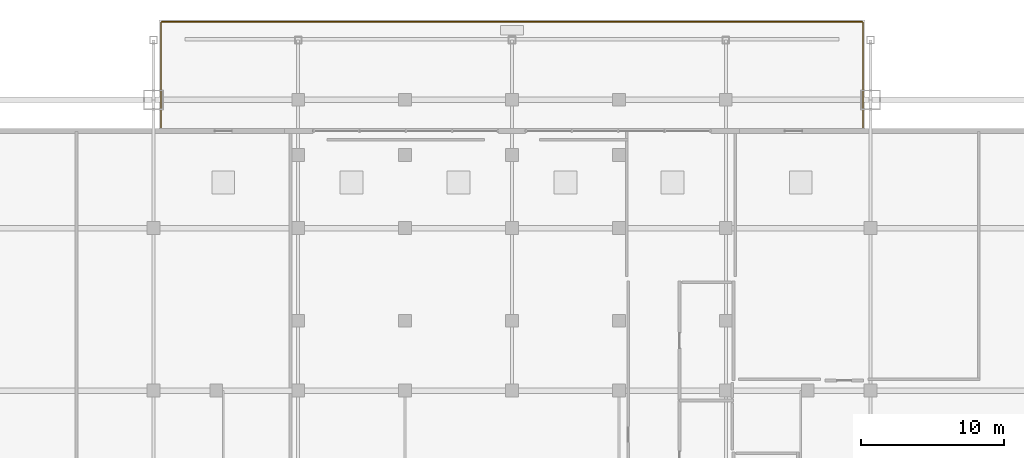
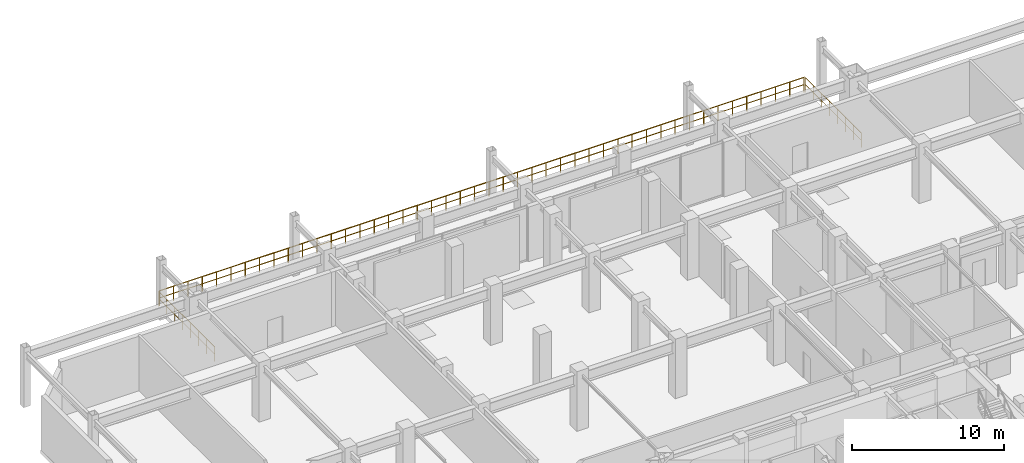
# One storey, part 15 of 15: 3 railings.
"""IFC4 building model written with IfcOpenShell, lengths in metres."""

from ifc_helpers import new_model, si_unit, direction, frame, origin, origin_2d, place, context, subcontext, project, spatial, circle, extrude, material, type_object, element, save


model = new_model("IFC4")

# Units and contexts
model_context = context("Model", 3, precision=1e-05, world=origin(), true_north=direction((0.0, 1.0)))
body_context = subcontext(model_context, "Body", "Model", "MODEL_VIEW")
ifc_project = project(units=[si_unit("LENGTHUNIT", "METRE"), si_unit("AREAUNIT", "SQUARE_METRE"), si_unit("VOLUMEUNIT", "CUBIC_METRE"), si_unit("PLANEANGLEUNIT", "RADIAN"), si_unit("MASSUNIT", "GRAM", prefix="KILO")], contexts=[model_context])

# Site, building, storey
site_placement = place(None, origin())
site = spatial("IfcSite", under=ifc_project, at=site_placement, CompositionType="ELEMENT")
building_placement = place(site_placement, origin())
building = spatial("IfcBuilding", under=site, at=building_placement, Name="Ventersveld Concourse Tower", CompositionType="ELEMENT")
storey_placement = place(building_placement, frame((0.0, 0.0, 19.800048828125)))
storey = spatial("IfcBuildingStorey", under=building, at=storey_placement, Name="L04", CompositionType="ELEMENT", Elevation=19.800048828125)

# Railings
ifc_material = material(Name="Brushed stainless steel 316", Category="steel")
railing_type = type_object("IfcRailingType", Name="GD-TER-120", PredefinedType="GUARDRAIL", material=ifc_material)
railing_1_placement = place(storey_placement, frame((4.1201171875, 42.06005859375, 0.0)))
element("IfcRailing", 1, at=railing_1_placement, inside=storey, type_object=railing_type, Name="L04 Outdoor Terrace Guardrail POD-TERR-N-W", PredefinedType="GUARDRAIL", context=body_context, shape_type="SweptSolid", body=[
    extrude(circle(Radius=0.02392578125, at=origin_2d()), frame((0.0, 0.0, 1.17578125), z_axis=(0.0, 1.0, 0.0), x_axis=(-1.0, 0.0, 0.0)), (0.0, 0.0, 1.0), 7.35986328125),
    extrude(circle(Radius=0.01611328125, at=origin_2d()), frame((0.0, 0.0, 0.60009765625), z_axis=(0.0, 1.0, 0.0), x_axis=(-1.0, 0.0, 0.0)), (0.0, 0.0, 1.0), 7.35986328125),
    extrude(circle(Radius=0.02099609375, at=origin_2d()), origin(), (0.0, 0.0, 1.0), 1.15185546875),
    extrude(circle(Radius=0.02099609375, at=origin_2d()), frame((0.0, 1.051513671875, 0.0)), (0.0, 0.0, 1.0), 1.15185546875),
    extrude(circle(Radius=0.02099609375, at=origin_2d()), frame((0.0, 2.102783203125, 0.0)), (0.0, 0.0, 1.0), 1.15185546875),
    extrude(circle(Radius=0.02099609375, at=origin_2d()), frame((0.0, 3.154296875, 0.0)), (0.0, 0.0, 1.0), 1.15185546875),
    extrude(circle(Radius=0.02099609375, at=origin_2d()), frame((0.0, 4.20556640625, 0.0)), (0.0, 0.0, 1.0), 1.15185546875),
    extrude(circle(Radius=0.02099609375, at=origin_2d()), frame((0.0, 5.257080078125, 0.0)), (0.0, 0.0, 1.0), 1.15185546875),
    extrude(circle(Radius=0.02099609375, at=origin_2d()), frame((0.0, 6.308349609375, 0.0)), (0.0, 0.0, 1.0), 1.15185546875),
    extrude(circle(Radius=0.02099609375, at=origin_2d()), frame((0.0, 7.35986328125, 0.0)), (0.0, 0.0, 1.0), 1.15185546875),
])
railing_2_placement = place(storey_placement, frame((4.179931640625, 49.47998046875, 0.0)))
element("IfcRailing", 2, at=railing_2_placement, inside=storey, type_object=railing_type, Name="L04 Outdoor Terrace Guardrail POD-TERR-N-N", PredefinedType="GUARDRAIL", context=body_context, shape_type="SweptSolid", body=[
    extrude(circle(Radius=0.02392578125, at=origin_2d()), frame((0.0, 0.0, 1.17578125), z_axis=(1.0, 0.0, 0.0), x_axis=(0.0, 1.0, 0.0)), (0.0, 0.0, 1.0), 49.14013671875),
    extrude(circle(Radius=0.01611328125, at=origin_2d()), frame((0.0, 0.0, 0.60009765625), z_axis=(1.0, 0.0, 0.0), x_axis=(0.0, 1.0, 0.0)), (0.0, 0.0, 1.0), 49.14013671875),
    extrude(circle(Radius=0.02099609375, at=origin_2d()), origin(), (0.0, 0.0, 1.0), 1.15185546875),
    extrude(circle(Radius=0.02099609375, at=origin_2d()), frame((1.092041015625, 0.0, 0.0)), (0.0, 0.0, 1.0), 1.15185546875),
    extrude(circle(Radius=0.02099609375, at=origin_2d()), frame((2.18408203125, 0.0, 0.0)), (0.0, 0.0, 1.0), 1.15185546875),
    extrude(circle(Radius=0.02099609375, at=origin_2d()), frame((3.276123046875, 0.0, 0.0)), (0.0, 0.0, 1.0), 1.15185546875),
    extrude(circle(Radius=0.02099609375, at=origin_2d()), frame((4.367919921875, 0.0, 0.0)), (0.0, 0.0, 1.0), 1.15185546875),
    extrude(circle(Radius=0.02099609375, at=origin_2d()), frame((5.4599609375, 0.0, 0.0)), (0.0, 0.0, 1.0), 1.15185546875),
    extrude(circle(Radius=0.02099609375, at=origin_2d()), frame((6.552001953125, 0.0, 0.0)), (0.0, 0.0, 1.0), 1.15185546875),
    extrude(circle(Radius=0.02099609375, at=origin_2d()), frame((7.64404296875, 0.0, 0.0)), (0.0, 0.0, 1.0), 1.15185546875),
    extrude(circle(Radius=0.02099609375, at=origin_2d()), frame((8.736083984375, 0.0, 0.0)), (0.0, 0.0, 1.0), 1.15185546875),
    extrude(circle(Radius=0.02099609375, at=origin_2d()), frame((9.828125, 0.0, 0.0)), (0.0, 0.0, 1.0), 1.15185546875),
    extrude(circle(Radius=0.02099609375, at=origin_2d()), frame((10.919921875, 0.0, 0.0)), (0.0, 0.0, 1.0), 1.15185546875),
    extrude(circle(Radius=0.02099609375, at=origin_2d()), frame((12.011962890625, 0.0, 0.0)), (0.0, 0.0, 1.0), 1.15185546875),
    extrude(circle(Radius=0.02099609375, at=origin_2d()), frame((13.10400390625, 0.0, 0.0)), (0.0, 0.0, 1.0), 1.15185546875),
    extrude(circle(Radius=0.02099609375, at=origin_2d()), frame((14.196044921875, 0.0, 0.0)), (0.0, 0.0, 1.0), 1.15185546875),
    extrude(circle(Radius=0.02099609375, at=origin_2d()), frame((15.2880859375, 0.0, 0.0)), (0.0, 0.0, 1.0), 1.15185546875),
    extrude(circle(Radius=0.02099609375, at=origin_2d()), frame((16.380126953125, 0.0, 0.0)), (0.0, 0.0, 1.0), 1.15185546875),
    extrude(circle(Radius=0.02099609375, at=origin_2d()), frame((17.47216796875, 0.0, 0.0)), (0.0, 0.0, 1.0), 1.15185546875),
    extrude(circle(Radius=0.02099609375, at=origin_2d()), frame((18.56396484375, 0.0, 0.0)), (0.0, 0.0, 1.0), 1.15185546875),
    extrude(circle(Radius=0.02099609375, at=origin_2d()), frame((19.656005859375, 0.0, 0.0)), (0.0, 0.0, 1.0), 1.15185546875),
    extrude(circle(Radius=0.02099609375, at=origin_2d()), frame((20.748046875, 0.0, 0.0)), (0.0, 0.0, 1.0), 1.15185546875),
    extrude(circle(Radius=0.02099609375, at=origin_2d()), frame((21.840087890625, 0.0, 0.0)), (0.0, 0.0, 1.0), 1.15185546875),
    extrude(circle(Radius=0.02099609375, at=origin_2d()), frame((22.93212890625, 0.0, 0.0)), (0.0, 0.0, 1.0), 1.15185546875),
    extrude(circle(Radius=0.02099609375, at=origin_2d()), frame((24.024169921875, 0.0, 0.0)), (0.0, 0.0, 1.0), 1.15185546875),
    extrude(circle(Radius=0.02099609375, at=origin_2d()), frame((25.115966796875, 0.0, 0.0)), (0.0, 0.0, 1.0), 1.15185546875),
    extrude(circle(Radius=0.02099609375, at=origin_2d()), frame((26.2080078125, 0.0, 0.0)), (0.0, 0.0, 1.0), 1.15185546875),
    extrude(circle(Radius=0.02099609375, at=origin_2d()), frame((27.300048828125, 0.0, 0.0)), (0.0, 0.0, 1.0), 1.15185546875),
    extrude(circle(Radius=0.02099609375, at=origin_2d()), frame((28.39208984375, 0.0, 0.0)), (0.0, 0.0, 1.0), 1.15185546875),
    extrude(circle(Radius=0.02099609375, at=origin_2d()), frame((29.484130859375, 0.0, 0.0)), (0.0, 0.0, 1.0), 1.15185546875),
    extrude(circle(Radius=0.02099609375, at=origin_2d()), frame((30.576171875, 0.0, 0.0)), (0.0, 0.0, 1.0), 1.15185546875),
    extrude(circle(Radius=0.02099609375, at=origin_2d()), frame((31.66796875, 0.0, 0.0)), (0.0, 0.0, 1.0), 1.15185546875),
    extrude(circle(Radius=0.02099609375, at=origin_2d()), frame((32.760009765625, 0.0, 0.0)), (0.0, 0.0, 1.0), 1.15185546875),
    extrude(circle(Radius=0.02099609375, at=origin_2d()), frame((33.85205078125, 0.0, 0.0)), (0.0, 0.0, 1.0), 1.15185546875),
    extrude(circle(Radius=0.02099609375, at=origin_2d()), frame((34.944091796875, 0.0, 0.0)), (0.0, 0.0, 1.0), 1.15185546875),
    extrude(circle(Radius=0.02099609375, at=origin_2d()), frame((36.0361328125, 0.0, 0.0)), (0.0, 0.0, 1.0), 1.15185546875),
    extrude(circle(Radius=0.02099609375, at=origin_2d()), frame((37.128173828125, 0.0, 0.0)), (0.0, 0.0, 1.0), 1.15185546875),
    extrude(circle(Radius=0.02099609375, at=origin_2d()), frame((38.22021484375, 0.0, 0.0)), (0.0, 0.0, 1.0), 1.15185546875),
    extrude(circle(Radius=0.02099609375, at=origin_2d()), frame((39.31201171875, 0.0, 0.0)), (0.0, 0.0, 1.0), 1.15185546875),
    extrude(circle(Radius=0.02099609375, at=origin_2d()), frame((40.404052734375, 0.0, 0.0)), (0.0, 0.0, 1.0), 1.15185546875),
    extrude(circle(Radius=0.02099609375, at=origin_2d()), frame((41.49609375, 0.0, 0.0)), (0.0, 0.0, 1.0), 1.15185546875),
    extrude(circle(Radius=0.02099609375, at=origin_2d()), frame((42.588134765625, 0.0, 0.0)), (0.0, 0.0, 1.0), 1.15185546875),
    extrude(circle(Radius=0.02099609375, at=origin_2d()), frame((43.68017578125, 0.0, 0.0)), (0.0, 0.0, 1.0), 1.15185546875),
    extrude(circle(Radius=0.02099609375, at=origin_2d()), frame((44.772216796875, 0.0, 0.0)), (0.0, 0.0, 1.0), 1.15185546875),
    extrude(circle(Radius=0.02099609375, at=origin_2d()), frame((45.864013671875, 0.0, 0.0)), (0.0, 0.0, 1.0), 1.15185546875),
    extrude(circle(Radius=0.02099609375, at=origin_2d()), frame((46.9560546875, 0.0, 0.0)), (0.0, 0.0, 1.0), 1.15185546875),
    extrude(circle(Radius=0.02099609375, at=origin_2d()), frame((48.048095703125, 0.0, 0.0)), (0.0, 0.0, 1.0), 1.15185546875),
    extrude(circle(Radius=0.02099609375, at=origin_2d()), frame((49.14013671875, 0.0, 0.0)), (0.0, 0.0, 1.0), 1.15185546875),
])
railing_3_placement = place(storey_placement, frame((53.3798828125, 42.06005859375, 0.0)))
element("IfcRailing", 3, at=railing_3_placement, inside=storey, type_object=railing_type, Name="L04 Outdoor Terrace Guardrail POD-TERR-N-E", PredefinedType="GUARDRAIL", context=body_context, shape_type="SweptSolid", body=[
    extrude(circle(Radius=0.02392578125, at=origin_2d()), frame((0.0, 0.0, 1.17578125), z_axis=(0.0, 1.0, 0.0), x_axis=(-1.0, 0.0, 0.0)), (0.0, 0.0, 1.0), 7.35986328125),
    extrude(circle(Radius=0.01611328125, at=origin_2d()), frame((0.0, 0.0, 0.60009765625), z_axis=(0.0, 1.0, 0.0), x_axis=(-1.0, 0.0, 0.0)), (0.0, 0.0, 1.0), 7.35986328125),
    extrude(circle(Radius=0.02099609375, at=origin_2d()), origin(), (0.0, 0.0, 1.0), 1.15185546875),
    extrude(circle(Radius=0.02099609375, at=origin_2d()), frame((0.0, 1.051513671875, 0.0)), (0.0, 0.0, 1.0), 1.15185546875),
    extrude(circle(Radius=0.02099609375, at=origin_2d()), frame((0.0, 2.102783203125, 0.0)), (0.0, 0.0, 1.0), 1.15185546875),
    extrude(circle(Radius=0.02099609375, at=origin_2d()), frame((0.0, 3.154296875, 0.0)), (0.0, 0.0, 1.0), 1.15185546875),
    extrude(circle(Radius=0.02099609375, at=origin_2d()), frame((0.0, 4.20556640625, 0.0)), (0.0, 0.0, 1.0), 1.15185546875),
    extrude(circle(Radius=0.02099609375, at=origin_2d()), frame((0.0, 5.257080078125, 0.0)), (0.0, 0.0, 1.0), 1.15185546875),
    extrude(circle(Radius=0.02099609375, at=origin_2d()), frame((0.0, 6.308349609375, 0.0)), (0.0, 0.0, 1.0), 1.15185546875),
    extrude(circle(Radius=0.02099609375, at=origin_2d()), frame((0.0, 7.35986328125, 0.0)), (0.0, 0.0, 1.0), 1.15185546875),
])

save(model, "model.ifc")
